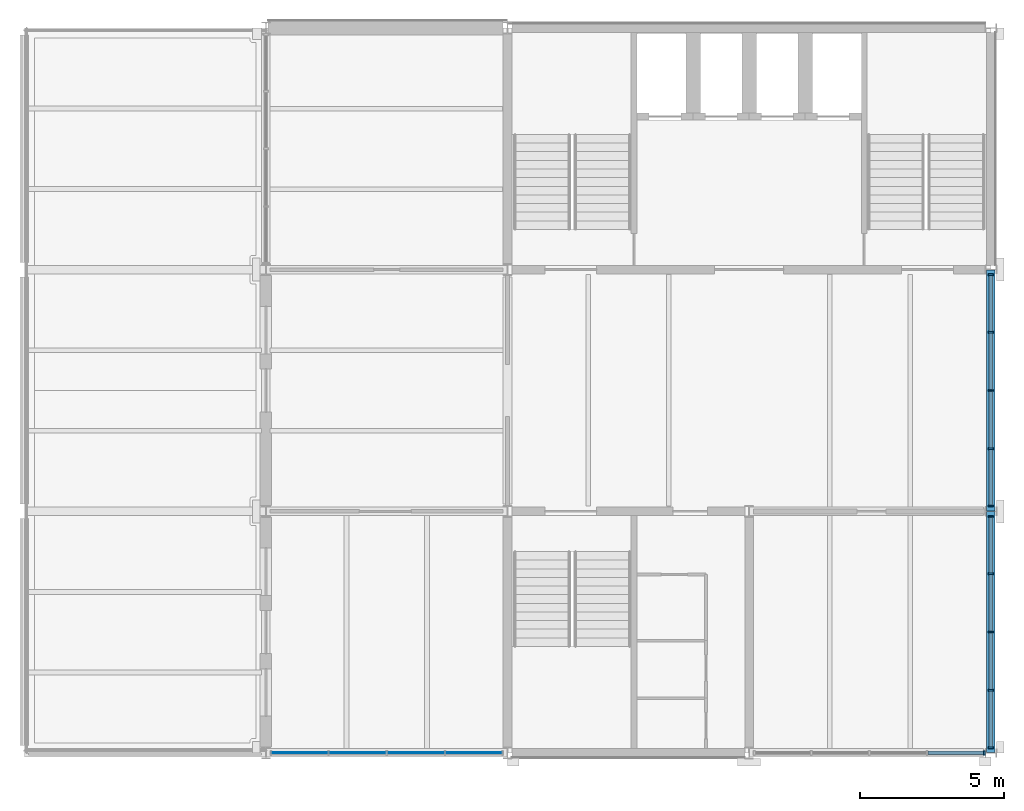
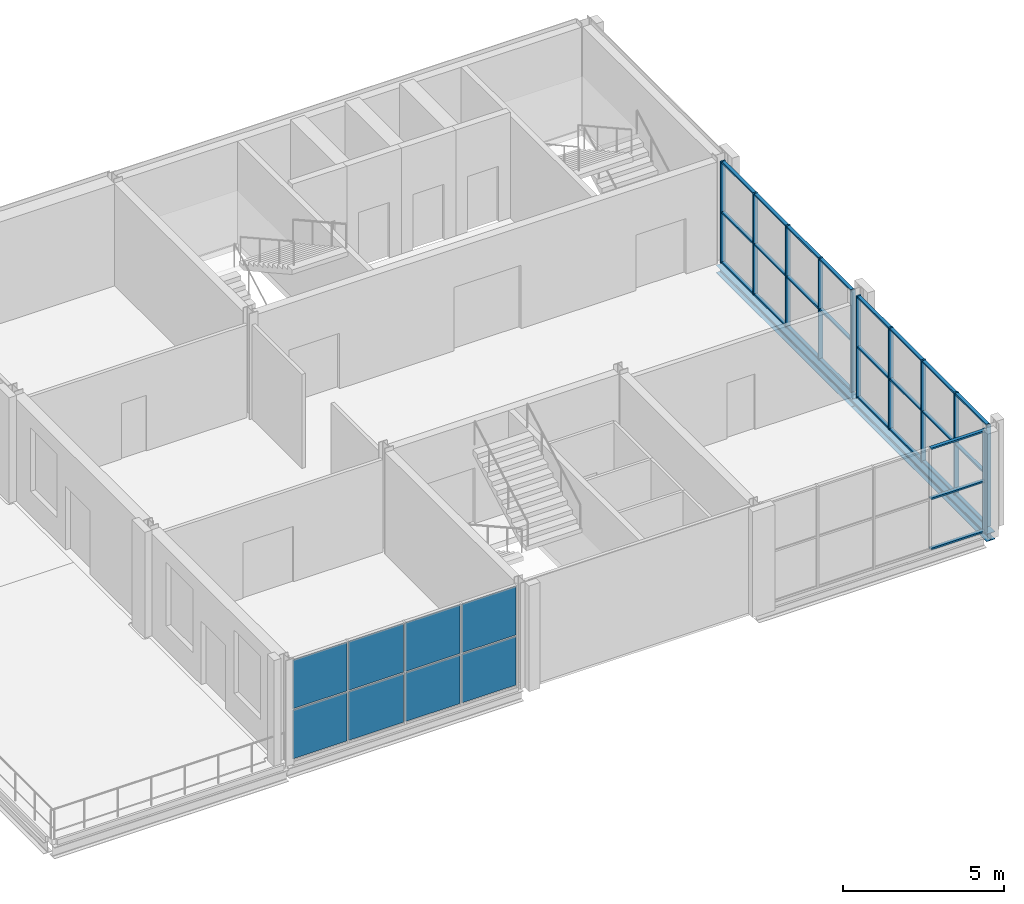
# One storey, part 5 of 9: 38 members, 8 plates, 2 beams, 4 elements without a shape of their own.
"""IFC4 building model written with IfcOpenShell, lengths in metres."""

from ifc_helpers import new_model, si_unit, direction, frame, origin, origin_2d, place, context, subcontext, project, spatial, rectangle, i_section, extrude, material, layer, layer_set, material_profile, profile_set, type_object, element, aggregate, save


model = new_model("IFC4")

# Units and contexts
model_context = context("Model", 3, precision=1e-05, world=origin(), true_north=direction((0.0, 1.0)))
body_context = subcontext(model_context, "Body", "Model", "MODEL_VIEW")
ifc_project = project(units=[si_unit("LENGTHUNIT", "METRE"), si_unit("AREAUNIT", "SQUARE_METRE"), si_unit("VOLUMEUNIT", "CUBIC_METRE"), si_unit("PLANEANGLEUNIT", "RADIAN"), si_unit("MASSUNIT", "GRAM", prefix="KILO")], contexts=[model_context])

# Site, building, storey
site_placement = place(None, origin())
site = spatial("IfcSite", under=ifc_project, at=site_placement, CompositionType="ELEMENT")
building_placement = place(site_placement, origin())
building = spatial("IfcBuilding", under=site, at=building_placement, Name="Galleria Vessillo Department Store", CompositionType="ELEMENT")
storey_placement = place(building_placement, frame((0.0, 0.0, 47.60009765625)))
storey = spatial("IfcBuildingStorey", under=building, at=storey_placement, Name="L10", CompositionType="ELEMENT", Elevation=47.60009765625)

# Curtain wall, member
ifc_material_1 = material(Name="Aluminium and glass curtain wall", Category="aluminium")
ifc_layer_1 = layer(ifc_material_1, 0.159912109375)
ifc_layer_set_1 = layer_set([ifc_layer_1], Name="Aluminium and glass curtain wall")
curtain_wall_type = type_object("IfcCurtainWallType", Name="Tower curtain wall CW4 2100 module", PredefinedType="NOTDEFINED", material=ifc_layer_set_1)
curtain_wall_1_placement = place(storey_placement, origin())
curtain_wall_1 = element("IfcCurtainWall", 1, at=curtain_wall_1_placement, inside=storey, type_object=curtain_wall_type, Name="Tower curtain wall CW4 2100 module TS-L10-02", PredefinedType="NOTDEFINED")
ifc_material_2 = material(Name="Aluminium alloy 6063 T6", Category="aluminium")
ifc_material_profile_1 = material_profile(ifc_material_2, rectangle(XDim=0.159912109375, YDim=0.06005859375, at=origin_2d()), Name="AL 60x160")
ifc_profile_set_1 = profile_set([ifc_material_profile_1], Name="Aluminium alloy 6063 T6")
member_type_1 = type_object("IfcMemberType", Name="Aluminium mullion 60 x 160", PredefinedType="MULLION", material=ifc_profile_set_1)
member_1_placement = place(storey_placement, frame((117.3701171875, 37.800048828125, 0.0), z_axis=(0.0, 0.0, 1.0), x_axis=(0.0, 1.0, 0.0)))
member_1 = element("IfcMember", 2, at=member_1_placement, type_object=member_type_1, Name="CW4 mullion 5", PredefinedType="MULLION", context=body_context, shape_type="SweptSolid", body=[
    extrude(rectangle(XDim=0.159912109375, YDim=0.06005859375, at=origin_2d()), origin(), (0.0, 0.0, 1.0), 3.85009765625),
])

# Curtain wall, members
curtain_wall_2_placement = place(storey_placement, origin())
curtain_wall_2 = element("IfcCurtainWall", 3, at=curtain_wall_2_placement, inside=storey, type_object=curtain_wall_type, Name="Tower curtain wall CW4 2100 module TE-L10-01", PredefinedType="NOTDEFINED")
member_2_placement = place(storey_placement, frame((117.60009765625, 37.97998046875, 0.0), z_axis=(0.0, 0.0, 1.0), x_axis=(-1.0, 0.0, 0.0)))
member_2 = element("IfcMember", 4, at=member_2_placement, type_object=member_type_1, Name="CW4 mullion 1", PredefinedType="MULLION", context=body_context, shape_type="SweptSolid", body=[
    extrude(rectangle(XDim=0.159912109375, YDim=0.06005859375, at=origin_2d()), origin(), (0.0, 0.0, 1.0), 3.85009765625),
])
member_3_placement = place(storey_placement, frame((117.60009765625, 39.97509765625, 0.0), z_axis=(0.0, 0.0, 1.0), x_axis=(-1.0, 0.0, 0.0)))
member_3 = element("IfcMember", 5, at=member_3_placement, type_object=member_type_1, Name="CW4 mullion 2", PredefinedType="MULLION", context=body_context, shape_type="SweptSolid", body=[
    extrude(rectangle(XDim=0.159912109375, YDim=0.06005859375, at=origin_2d()), origin(), (0.0, 0.0, 1.0), 3.85009765625),
])
member_4_placement = place(storey_placement, frame((117.60009765625, 42.0, 0.0), z_axis=(0.0, 0.0, 1.0), x_axis=(-1.0, 0.0, 0.0)))
member_4 = element("IfcMember", 6, at=member_4_placement, type_object=member_type_1, Name="CW4 mullion 3", PredefinedType="MULLION", context=body_context, shape_type="SweptSolid", body=[
    extrude(rectangle(XDim=0.159912109375, YDim=0.06005859375, at=origin_2d()), origin(), (0.0, 0.0, 1.0), 3.85009765625),
])
member_5_placement = place(storey_placement, frame((117.60009765625, 44.02490234375, 0.0), z_axis=(0.0, 0.0, 1.0), x_axis=(-1.0, 0.0, 0.0)))
member_5 = element("IfcMember", 7, at=member_5_placement, type_object=member_type_1, Name="CW4 mullion 4", PredefinedType="MULLION", context=body_context, shape_type="SweptSolid", body=[
    extrude(rectangle(XDim=0.159912109375, YDim=0.06005859375, at=origin_2d()), origin(), (0.0, 0.0, 1.0), 3.85009765625),
])
member_6_placement = place(storey_placement, frame((117.60009765625, 46.02001953125, 0.0), z_axis=(0.0, 0.0, 1.0), x_axis=(-1.0, 0.0, 0.0)))
member_6 = element("IfcMember", 8, at=member_6_placement, type_object=member_type_1, Name="CW4 mullion 5", PredefinedType="MULLION", context=body_context, shape_type="SweptSolid", body=[
    extrude(rectangle(XDim=0.159912109375, YDim=0.06005859375, at=origin_2d()), origin(), (0.0, 0.0, 1.0), 3.85009765625),
])

curtain_wall_3_placement = place(storey_placement, origin())
curtain_wall_3 = element("IfcCurtainWall", 9, at=curtain_wall_3_placement, inside=storey, type_object=curtain_wall_type, Name="Tower curtain wall CW4 2100 module TE-L10-02", PredefinedType="NOTDEFINED")
member_7_placement = place(storey_placement, frame((117.60009765625, 46.3798828125, 0.0), z_axis=(0.0, 0.0, 1.0), x_axis=(-1.0, 0.0, 0.0)))
member_7 = element("IfcMember", 10, at=member_7_placement, type_object=member_type_1, Name="CW4 mullion 1", PredefinedType="MULLION", context=body_context, shape_type="SweptSolid", body=[
    extrude(rectangle(XDim=0.159912109375, YDim=0.06005859375, at=origin_2d()), origin(), (0.0, 0.0, 1.0), 3.85009765625),
])
member_8_placement = place(storey_placement, frame((117.60009765625, 48.375, 0.0), z_axis=(0.0, 0.0, 1.0), x_axis=(-1.0, 0.0, 0.0)))
member_8 = element("IfcMember", 11, at=member_8_placement, type_object=member_type_1, Name="CW4 mullion 2", PredefinedType="MULLION", context=body_context, shape_type="SweptSolid", body=[
    extrude(rectangle(XDim=0.159912109375, YDim=0.06005859375, at=origin_2d()), origin(), (0.0, 0.0, 1.0), 3.85009765625),
])
member_9_placement = place(storey_placement, frame((117.60009765625, 50.39990234375, 0.0), z_axis=(0.0, 0.0, 1.0), x_axis=(-1.0, 0.0, 0.0)))
member_9 = element("IfcMember", 12, at=member_9_placement, type_object=member_type_1, Name="CW4 mullion 3", PredefinedType="MULLION", context=body_context, shape_type="SweptSolid", body=[
    extrude(rectangle(XDim=0.159912109375, YDim=0.06005859375, at=origin_2d()), origin(), (0.0, 0.0, 1.0), 3.85009765625),
])
member_10_placement = place(storey_placement, frame((117.60009765625, 52.425048828125, 0.0), z_axis=(0.0, 0.0, 1.0), x_axis=(-1.0, 0.0, 0.0)))
member_10 = element("IfcMember", 13, at=member_10_placement, type_object=member_type_1, Name="CW4 mullion 4", PredefinedType="MULLION", context=body_context, shape_type="SweptSolid", body=[
    extrude(rectangle(XDim=0.159912109375, YDim=0.06005859375, at=origin_2d()), origin(), (0.0, 0.0, 1.0), 3.85009765625),
])
member_11_placement = place(storey_placement, frame((117.60009765625, 54.420166015625, 0.0), z_axis=(0.0, 0.0, 1.0), x_axis=(-1.0, 0.0, 0.0)))
member_11 = element("IfcMember", 14, at=member_11_placement, type_object=member_type_1, Name="CW4 mullion 5", PredefinedType="MULLION", context=body_context, shape_type="SweptSolid", body=[
    extrude(rectangle(XDim=0.159912109375, YDim=0.06005859375, at=origin_2d()), origin(), (0.0, 0.0, 1.0), 3.85009765625),
])

# Member
ifc_material_3 = material(Name="Aluminium alloy 6063 T6", Category="aluminium")
ifc_material_profile_2 = material_profile(ifc_material_3, rectangle(XDim=0.1201171875, YDim=0.06005859375, at=origin_2d()), Name="AL 60x120")
ifc_profile_set_2 = profile_set([ifc_material_profile_2], Name="Aluminium alloy 6063 T6")
member_type_2 = type_object("IfcMemberType", Name="Aluminium transom 60 x 120", PredefinedType="USERDEFINED", material=ifc_profile_set_2)
member_12_placement = place(storey_placement, frame((115.41748046875, 37.800048828125, 0.030029296875), z_axis=(1.0, 0.0, 0.0), x_axis=(0.0, 1.0, 0.0)))
member_12 = element("IfcMember", 15, at=member_12_placement, type_object=member_type_2, Name="CW4 transom 4.1", ObjectType="TRANSOM", PredefinedType="USERDEFINED", context=body_context, shape_type="SweptSolid", body=[
    extrude(rectangle(XDim=0.1201171875, YDim=0.06005859375, at=origin_2d()), origin(), (0.0, 0.0, 1.0), 1.922607421875),
])

member_13_placement = place(storey_placement, frame((115.41748046875, 37.800048828125, 1.925048828125), z_axis=(1.0, 0.0, 0.0), x_axis=(0.0, 1.0, 0.0)))
member_13 = element("IfcMember", 16, at=member_13_placement, type_object=member_type_2, Name="CW4 transom 4.2", ObjectType="TRANSOM", PredefinedType="USERDEFINED", context=body_context, shape_type="SweptSolid", body=[
    extrude(rectangle(XDim=0.1201171875, YDim=0.06005859375, at=origin_2d()), origin(), (0.0, 0.0, 1.0), 1.922607421875),
])

member_14_placement = place(storey_placement, frame((115.41748046875, 37.800048828125, 3.820068359375), z_axis=(1.0, 0.0, 0.0), x_axis=(0.0, 1.0, 0.0)))
member_14 = element("IfcMember", 17, at=member_14_placement, type_object=member_type_2, Name="CW4 transom 4.3", ObjectType="TRANSOM", PredefinedType="USERDEFINED", context=body_context, shape_type="SweptSolid", body=[
    extrude(rectangle(XDim=0.1201171875, YDim=0.06005859375, at=origin_2d()), origin(), (0.0, 0.0, 1.0), 1.922607421875),
])

aggregate(curtain_wall_1, [member_1, member_12, member_13, member_14])

member_15_placement = place(storey_placement, frame((117.60009765625, 38.010009765625, 0.030029296875), z_axis=(0.0, 1.0, 0.0), x_axis=(-1.0, 0.0, 0.0)))
member_15 = element("IfcMember", 18, at=member_15_placement, type_object=member_type_2, Name="CW4 transom 1.1", ObjectType="TRANSOM", PredefinedType="USERDEFINED", context=body_context, shape_type="SweptSolid", body=[
    extrude(rectangle(XDim=0.1201171875, YDim=0.06005859375, at=origin_2d()), origin(), (0.0, 0.0, 1.0), 1.93505859375),
])

member_16_placement = place(storey_placement, frame((117.60009765625, 38.010009765625, 1.925048828125), z_axis=(0.0, 1.0, 0.0), x_axis=(-1.0, 0.0, 0.0)))
member_16 = element("IfcMember", 19, at=member_16_placement, type_object=member_type_2, Name="CW4 transom 1.2", ObjectType="TRANSOM", PredefinedType="USERDEFINED", context=body_context, shape_type="SweptSolid", body=[
    extrude(rectangle(XDim=0.1201171875, YDim=0.06005859375, at=origin_2d()), origin(), (0.0, 0.0, 1.0), 1.93505859375),
])

member_17_placement = place(storey_placement, frame((117.60009765625, 38.010009765625, 3.820068359375), z_axis=(0.0, 1.0, 0.0), x_axis=(-1.0, 0.0, 0.0)))
member_17 = element("IfcMember", 20, at=member_17_placement, type_object=member_type_2, Name="CW4 transom 1.3", ObjectType="TRANSOM", PredefinedType="USERDEFINED", context=body_context, shape_type="SweptSolid", body=[
    extrude(rectangle(XDim=0.1201171875, YDim=0.06005859375, at=origin_2d()), origin(), (0.0, 0.0, 1.0), 1.93505859375),
])

member_18_placement = place(storey_placement, frame((117.60009765625, 40.0048828125, 0.030029296875), z_axis=(0.0, 1.0, 0.0), x_axis=(-1.0, 0.0, 0.0)))
member_18 = element("IfcMember", 21, at=member_18_placement, type_object=member_type_2, Name="CW4 transom 2.1", ObjectType="TRANSOM", PredefinedType="USERDEFINED", context=body_context, shape_type="SweptSolid", body=[
    extrude(rectangle(XDim=0.1201171875, YDim=0.06005859375, at=origin_2d()), origin(), (0.0, 0.0, 1.0), 1.965087890625),
])

member_19_placement = place(storey_placement, frame((117.60009765625, 40.0048828125, 1.925048828125), z_axis=(0.0, 1.0, 0.0), x_axis=(-1.0, 0.0, 0.0)))
member_19 = element("IfcMember", 22, at=member_19_placement, type_object=member_type_2, Name="CW4 transom 2.2", ObjectType="TRANSOM", PredefinedType="USERDEFINED", context=body_context, shape_type="SweptSolid", body=[
    extrude(rectangle(XDim=0.1201171875, YDim=0.06005859375, at=origin_2d()), origin(), (0.0, 0.0, 1.0), 1.965087890625),
])

member_20_placement = place(storey_placement, frame((117.60009765625, 40.0048828125, 3.820068359375), z_axis=(0.0, 1.0, 0.0), x_axis=(-1.0, 0.0, 0.0)))
member_20 = element("IfcMember", 23, at=member_20_placement, type_object=member_type_2, Name="CW4 transom 2.3", ObjectType="TRANSOM", PredefinedType="USERDEFINED", context=body_context, shape_type="SweptSolid", body=[
    extrude(rectangle(XDim=0.1201171875, YDim=0.06005859375, at=origin_2d()), origin(), (0.0, 0.0, 1.0), 1.965087890625),
])

member_21_placement = place(storey_placement, frame((117.60009765625, 42.030029296875, 0.030029296875), z_axis=(0.0, 1.0, 0.0), x_axis=(-1.0, 0.0, 0.0)))
member_21 = element("IfcMember", 24, at=member_21_placement, type_object=member_type_2, Name="CW4 transom 3.1", ObjectType="TRANSOM", PredefinedType="USERDEFINED", context=body_context, shape_type="SweptSolid", body=[
    extrude(rectangle(XDim=0.1201171875, YDim=0.06005859375, at=origin_2d()), origin(), (0.0, 0.0, 1.0), 1.965087890625),
])

member_22_placement = place(storey_placement, frame((117.60009765625, 42.030029296875, 1.925048828125), z_axis=(0.0, 1.0, 0.0), x_axis=(-1.0, 0.0, 0.0)))
member_22 = element("IfcMember", 25, at=member_22_placement, type_object=member_type_2, Name="CW4 transom 3.2", ObjectType="TRANSOM", PredefinedType="USERDEFINED", context=body_context, shape_type="SweptSolid", body=[
    extrude(rectangle(XDim=0.1201171875, YDim=0.06005859375, at=origin_2d()), origin(), (0.0, 0.0, 1.0), 1.965087890625),
])

member_23_placement = place(storey_placement, frame((117.60009765625, 42.030029296875, 3.820068359375), z_axis=(0.0, 1.0, 0.0), x_axis=(-1.0, 0.0, 0.0)))
member_23 = element("IfcMember", 26, at=member_23_placement, type_object=member_type_2, Name="CW4 transom 3.3", ObjectType="TRANSOM", PredefinedType="USERDEFINED", context=body_context, shape_type="SweptSolid", body=[
    extrude(rectangle(XDim=0.1201171875, YDim=0.06005859375, at=origin_2d()), origin(), (0.0, 0.0, 1.0), 1.965087890625),
])

member_24_placement = place(storey_placement, frame((117.60009765625, 44.054931640625, 0.030029296875), z_axis=(0.0, 1.0, 0.0), x_axis=(-1.0, 0.0, 0.0)))
member_24 = element("IfcMember", 27, at=member_24_placement, type_object=member_type_2, Name="CW4 transom 4.1", ObjectType="TRANSOM", PredefinedType="USERDEFINED", context=body_context, shape_type="SweptSolid", body=[
    extrude(rectangle(XDim=0.1201171875, YDim=0.06005859375, at=origin_2d()), origin(), (0.0, 0.0, 1.0), 1.93505859375),
])

member_25_placement = place(storey_placement, frame((117.60009765625, 44.054931640625, 1.925048828125), z_axis=(0.0, 1.0, 0.0), x_axis=(-1.0, 0.0, 0.0)))
member_25 = element("IfcMember", 28, at=member_25_placement, type_object=member_type_2, Name="CW4 transom 4.2", ObjectType="TRANSOM", PredefinedType="USERDEFINED", context=body_context, shape_type="SweptSolid", body=[
    extrude(rectangle(XDim=0.1201171875, YDim=0.06005859375, at=origin_2d()), origin(), (0.0, 0.0, 1.0), 1.93505859375),
])

member_26_placement = place(storey_placement, frame((117.60009765625, 44.054931640625, 3.820068359375), z_axis=(0.0, 1.0, 0.0), x_axis=(-1.0, 0.0, 0.0)))
member_26 = element("IfcMember", 29, at=member_26_placement, type_object=member_type_2, Name="CW4 transom 4.3", ObjectType="TRANSOM", PredefinedType="USERDEFINED", context=body_context, shape_type="SweptSolid", body=[
    extrude(rectangle(XDim=0.1201171875, YDim=0.06005859375, at=origin_2d()), origin(), (0.0, 0.0, 1.0), 1.93505859375),
])

aggregate(curtain_wall_2, [member_2, member_3, member_4, member_5, member_6, member_15, member_16, member_17, member_18, member_19, member_20, member_21, member_22, member_23, member_24, member_25, member_26])

member_27_placement = place(storey_placement, frame((117.60009765625, 46.409912109375, 0.030029296875), z_axis=(0.0, 1.0, 0.0), x_axis=(-1.0, 0.0, 0.0)))
member_27 = element("IfcMember", 30, at=member_27_placement, type_object=member_type_2, Name="CW4 transom 1.1", ObjectType="TRANSOM", PredefinedType="USERDEFINED", context=body_context, shape_type="SweptSolid", body=[
    extrude(rectangle(XDim=0.1201171875, YDim=0.06005859375, at=origin_2d()), origin(), (0.0, 0.0, 1.0), 1.93505859375),
])

member_28_placement = place(storey_placement, frame((117.60009765625, 46.409912109375, 1.925048828125), z_axis=(0.0, 1.0, 0.0), x_axis=(-1.0, 0.0, 0.0)))
member_28 = element("IfcMember", 31, at=member_28_placement, type_object=member_type_2, Name="CW4 transom 1.2", ObjectType="TRANSOM", PredefinedType="USERDEFINED", context=body_context, shape_type="SweptSolid", body=[
    extrude(rectangle(XDim=0.1201171875, YDim=0.06005859375, at=origin_2d()), origin(), (0.0, 0.0, 1.0), 1.93505859375),
])

member_29_placement = place(storey_placement, frame((117.60009765625, 46.409912109375, 3.820068359375), z_axis=(0.0, 1.0, 0.0), x_axis=(-1.0, 0.0, 0.0)))
member_29 = element("IfcMember", 32, at=member_29_placement, type_object=member_type_2, Name="CW4 transom 1.3", ObjectType="TRANSOM", PredefinedType="USERDEFINED", context=body_context, shape_type="SweptSolid", body=[
    extrude(rectangle(XDim=0.1201171875, YDim=0.06005859375, at=origin_2d()), origin(), (0.0, 0.0, 1.0), 1.93505859375),
])

member_30_placement = place(storey_placement, frame((117.60009765625, 48.405029296875, 0.030029296875), z_axis=(0.0, 1.0, 0.0), x_axis=(-1.0, 0.0, 0.0)))
member_30 = element("IfcMember", 33, at=member_30_placement, type_object=member_type_2, Name="CW4 transom 2.1", ObjectType="TRANSOM", PredefinedType="USERDEFINED", context=body_context, shape_type="SweptSolid", body=[
    extrude(rectangle(XDim=0.1201171875, YDim=0.06005859375, at=origin_2d()), origin(), (0.0, 0.0, 1.0), 1.965087890625),
])

member_31_placement = place(storey_placement, frame((117.60009765625, 48.405029296875, 1.925048828125), z_axis=(0.0, 1.0, 0.0), x_axis=(-1.0, 0.0, 0.0)))
member_31 = element("IfcMember", 34, at=member_31_placement, type_object=member_type_2, Name="CW4 transom 2.2", ObjectType="TRANSOM", PredefinedType="USERDEFINED", context=body_context, shape_type="SweptSolid", body=[
    extrude(rectangle(XDim=0.1201171875, YDim=0.06005859375, at=origin_2d()), origin(), (0.0, 0.0, 1.0), 1.965087890625),
])

member_32_placement = place(storey_placement, frame((117.60009765625, 48.405029296875, 3.820068359375), z_axis=(0.0, 1.0, 0.0), x_axis=(-1.0, 0.0, 0.0)))
member_32 = element("IfcMember", 35, at=member_32_placement, type_object=member_type_2, Name="CW4 transom 2.3", ObjectType="TRANSOM", PredefinedType="USERDEFINED", context=body_context, shape_type="SweptSolid", body=[
    extrude(rectangle(XDim=0.1201171875, YDim=0.06005859375, at=origin_2d()), origin(), (0.0, 0.0, 1.0), 1.965087890625),
])

member_33_placement = place(storey_placement, frame((117.60009765625, 50.429931640625, 0.030029296875), z_axis=(0.0, 1.0, 0.0), x_axis=(-1.0, 0.0, 0.0)))
member_33 = element("IfcMember", 36, at=member_33_placement, type_object=member_type_2, Name="CW4 transom 3.1", ObjectType="TRANSOM", PredefinedType="USERDEFINED", context=body_context, shape_type="SweptSolid", body=[
    extrude(rectangle(XDim=0.1201171875, YDim=0.06005859375, at=origin_2d()), origin(), (0.0, 0.0, 1.0), 1.965087890625),
])

member_34_placement = place(storey_placement, frame((117.60009765625, 50.429931640625, 1.925048828125), z_axis=(0.0, 1.0, 0.0), x_axis=(-1.0, 0.0, 0.0)))
member_34 = element("IfcMember", 37, at=member_34_placement, type_object=member_type_2, Name="CW4 transom 3.2", ObjectType="TRANSOM", PredefinedType="USERDEFINED", context=body_context, shape_type="SweptSolid", body=[
    extrude(rectangle(XDim=0.1201171875, YDim=0.06005859375, at=origin_2d()), origin(), (0.0, 0.0, 1.0), 1.965087890625),
])

member_35_placement = place(storey_placement, frame((117.60009765625, 50.429931640625, 3.820068359375), z_axis=(0.0, 1.0, 0.0), x_axis=(-1.0, 0.0, 0.0)))
member_35 = element("IfcMember", 38, at=member_35_placement, type_object=member_type_2, Name="CW4 transom 3.3", ObjectType="TRANSOM", PredefinedType="USERDEFINED", context=body_context, shape_type="SweptSolid", body=[
    extrude(rectangle(XDim=0.1201171875, YDim=0.06005859375, at=origin_2d()), origin(), (0.0, 0.0, 1.0), 1.965087890625),
])

member_36_placement = place(storey_placement, frame((117.60009765625, 52.455078125, 0.030029296875), z_axis=(0.0, 1.0, 0.0), x_axis=(-1.0, 0.0, 0.0)))
member_36 = element("IfcMember", 39, at=member_36_placement, type_object=member_type_2, Name="CW4 transom 4.1", ObjectType="TRANSOM", PredefinedType="USERDEFINED", context=body_context, shape_type="SweptSolid", body=[
    extrude(rectangle(XDim=0.1201171875, YDim=0.06005859375, at=origin_2d()), origin(), (0.0, 0.0, 1.0), 1.93505859375),
])

member_37_placement = place(storey_placement, frame((117.60009765625, 52.455078125, 1.925048828125), z_axis=(0.0, 1.0, 0.0), x_axis=(-1.0, 0.0, 0.0)))
member_37 = element("IfcMember", 40, at=member_37_placement, type_object=member_type_2, Name="CW4 transom 4.2", ObjectType="TRANSOM", PredefinedType="USERDEFINED", context=body_context, shape_type="SweptSolid", body=[
    extrude(rectangle(XDim=0.1201171875, YDim=0.06005859375, at=origin_2d()), origin(), (0.0, 0.0, 1.0), 1.93505859375),
])

member_38_placement = place(storey_placement, frame((117.60009765625, 52.455078125, 3.820068359375), z_axis=(0.0, 1.0, 0.0), x_axis=(-1.0, 0.0, 0.0)))
member_38 = element("IfcMember", 41, at=member_38_placement, type_object=member_type_2, Name="CW4 transom 4.3", ObjectType="TRANSOM", PredefinedType="USERDEFINED", context=body_context, shape_type="SweptSolid", body=[
    extrude(rectangle(XDim=0.1201171875, YDim=0.06005859375, at=origin_2d()), origin(), (0.0, 0.0, 1.0), 1.93505859375),
])

aggregate(curtain_wall_3, [member_7, member_8, member_9, member_10, member_11, member_27, member_28, member_29, member_30, member_31, member_32, member_33, member_34, member_35, member_36, member_37, member_38])

# Beams
ifc_material_4 = material(Name="Steel S355 J2", Category="steel")
ifc_material_profile_3 = material_profile(ifc_material_4, i_section(OverallWidth=0.300048828125, OverallDepth=0.2900390625, WebThickness=0.008544921875, FlangeThickness=0.013916015625, FilletRadius=0.027099609375, at=origin_2d()), Name="HEA 300")
ifc_profile_set_3 = profile_set([ifc_material_profile_3], Name="Steel S355 J2")
beam_type = type_object("IfcBeamType", Name="Spandrel beam HEA 300", PredefinedType="SPANDREL", material=ifc_profile_set_3)
for number, where, z_axis, x_axis, name in (
    (42, (117.60009765625, 37.807373046875, -0.294921875), (0.0, 1.0, 0.0), (-1.0, 0.0, 0.0), "S-BM-L10-SP-y117600-37807"),
    (43, (117.60009765625, 46.207275390625, -0.294921875), (0.0, 1.0, 0.0), (-1.0, 0.0, 0.0), "S-BM-L10-SP-y117600-46207"),
):
    element("IfcBeam", number, at=place(storey_placement, frame(where, z_axis=z_axis, x_axis=x_axis)), inside=storey, type_object=beam_type, Name=name, PredefinedType="SPANDREL", context=body_context, shape_type="SweptSolid", body=[
        extrude(i_section(OverallWidth=0.300048828125, OverallDepth=0.2900390625, WebThickness=0.008544921875, FlangeThickness=0.013916015625, FilletRadius=0.027099609375, at=origin_2d()), origin(), (0.0, 0.0, 1.0), 8.38525390625),
    ])

# Curtain wall, plates
curtain_wall_4_placement = place(storey_placement, origin())
curtain_wall_4 = element("IfcCurtainWall", 44, at=curtain_wall_4_placement, inside=storey, type_object=curtain_wall_type, Name="Tower curtain wall CW4 2100 module TS-L10-01", PredefinedType="NOTDEFINED")
ifc_material_5 = material(Name="Glass laminated 44.2 low-e", Category="glass")
ifc_layer_2 = layer(ifc_material_5, 0.028076171875)
ifc_layer_set_2 = layer_set([ifc_layer_2], Name="Glass laminated 44.2 low-e")
plate_type_1 = type_object("IfcPlateType", Name="Laminated glass panel 28 mm", PredefinedType="CURTAIN_PANEL", material=ifc_layer_set_2)
plate_1_placement = place(storey_placement, frame((93.577392578125, 37.800048828125, 1.955078125), z_axis=(0.0, 0.0, 1.0), x_axis=(1.0, 0.0, 0.0)))
plate_1 = element("IfcPlate", 45, at=plate_1_placement, type_object=plate_type_1, Name="CW4 panel 1.2", PredefinedType="CURTAIN_PANEL", context=body_context, shape_type="SweptSolid", body=[
    extrude(rectangle(XDim=1.93505859375, YDim=0.028076171875, at=origin_2d()), origin(), (0.0, 0.0, 1.0), 1.835205078125),
])
plate_2_placement = place(storey_placement, frame((95.58740234375, 37.800048828125, 1.955078125), z_axis=(0.0, 0.0, 1.0), x_axis=(1.0, 0.0, 0.0)))
plate_2 = element("IfcPlate", 46, at=plate_2_placement, type_object=plate_type_1, Name="CW4 panel 2.2", PredefinedType="CURTAIN_PANEL", context=body_context, shape_type="SweptSolid", body=[
    extrude(rectangle(XDim=1.965087890625, YDim=0.028076171875, at=origin_2d()), origin(), (0.0, 0.0, 1.0), 1.835205078125),
])
plate_3_placement = place(storey_placement, frame((97.612548828125, 37.800048828125, 1.955078125), z_axis=(0.0, 0.0, 1.0), x_axis=(1.0, 0.0, 0.0)))
plate_3 = element("IfcPlate", 47, at=plate_3_placement, type_object=plate_type_1, Name="CW4 panel 3.2", PredefinedType="CURTAIN_PANEL", context=body_context, shape_type="SweptSolid", body=[
    extrude(rectangle(XDim=1.965087890625, YDim=0.028076171875, at=origin_2d()), origin(), (0.0, 0.0, 1.0), 1.835205078125),
])
plate_4_placement = place(storey_placement, frame((99.62255859375, 37.800048828125, 1.955078125), z_axis=(0.0, 0.0, 1.0), x_axis=(1.0, 0.0, 0.0)))
plate_4 = element("IfcPlate", 48, at=plate_4_placement, type_object=plate_type_1, Name="CW4 panel 4.2", PredefinedType="CURTAIN_PANEL", context=body_context, shape_type="SweptSolid", body=[
    extrude(rectangle(XDim=1.93505859375, YDim=0.028076171875, at=origin_2d()), origin(), (0.0, 0.0, 1.0), 1.835205078125),
])
ifc_material_6 = material(Name="Limestone spandrel on aluminium tray", Category="masonry")
ifc_layer_3 = layer(ifc_material_6, 0.028076171875)
ifc_layer_set_3 = layer_set([ifc_layer_3], Name="Limestone spandrel on aluminium tray")
plate_type_2 = type_object("IfcPlateType", Name="Stone spandrel panel 28 mm", PredefinedType="CURTAIN_PANEL", material=ifc_layer_set_3)
plate_5_placement = place(storey_placement, frame((93.577392578125, 37.800048828125, 0.06005859375), z_axis=(0.0, 0.0, 1.0), x_axis=(1.0, 0.0, 0.0)))
plate_5 = element("IfcPlate", 49, at=plate_5_placement, type_object=plate_type_2, Name="CW4 panel 1.1", PredefinedType="CURTAIN_PANEL", context=body_context, shape_type="SweptSolid", body=[
    extrude(rectangle(XDim=1.93505859375, YDim=0.028076171875, at=origin_2d()), origin(), (0.0, 0.0, 1.0), 1.8349609375),
])
plate_6_placement = place(storey_placement, frame((95.58740234375, 37.800048828125, 0.06005859375), z_axis=(0.0, 0.0, 1.0), x_axis=(1.0, 0.0, 0.0)))
plate_6 = element("IfcPlate", 50, at=plate_6_placement, type_object=plate_type_2, Name="CW4 panel 2.1", PredefinedType="CURTAIN_PANEL", context=body_context, shape_type="SweptSolid", body=[
    extrude(rectangle(XDim=1.965087890625, YDim=0.028076171875, at=origin_2d()), origin(), (0.0, 0.0, 1.0), 1.8349609375),
])
plate_7_placement = place(storey_placement, frame((97.612548828125, 37.800048828125, 0.06005859375), z_axis=(0.0, 0.0, 1.0), x_axis=(1.0, 0.0, 0.0)))
plate_7 = element("IfcPlate", 51, at=plate_7_placement, type_object=plate_type_2, Name="CW4 panel 3.1", PredefinedType="CURTAIN_PANEL", context=body_context, shape_type="SweptSolid", body=[
    extrude(rectangle(XDim=1.965087890625, YDim=0.028076171875, at=origin_2d()), origin(), (0.0, 0.0, 1.0), 1.8349609375),
])
plate_8_placement = place(storey_placement, frame((99.62255859375, 37.800048828125, 0.06005859375), z_axis=(0.0, 0.0, 1.0), x_axis=(1.0, 0.0, 0.0)))
plate_8 = element("IfcPlate", 52, at=plate_8_placement, type_object=plate_type_2, Name="CW4 panel 4.1", PredefinedType="CURTAIN_PANEL", context=body_context, shape_type="SweptSolid", body=[
    extrude(rectangle(XDim=1.93505859375, YDim=0.028076171875, at=origin_2d()), origin(), (0.0, 0.0, 1.0), 1.8349609375),
])
aggregate(curtain_wall_4, [plate_5, plate_1, plate_6, plate_2, plate_7, plate_3, plate_8, plate_4])

save(model, "model.ifc")
